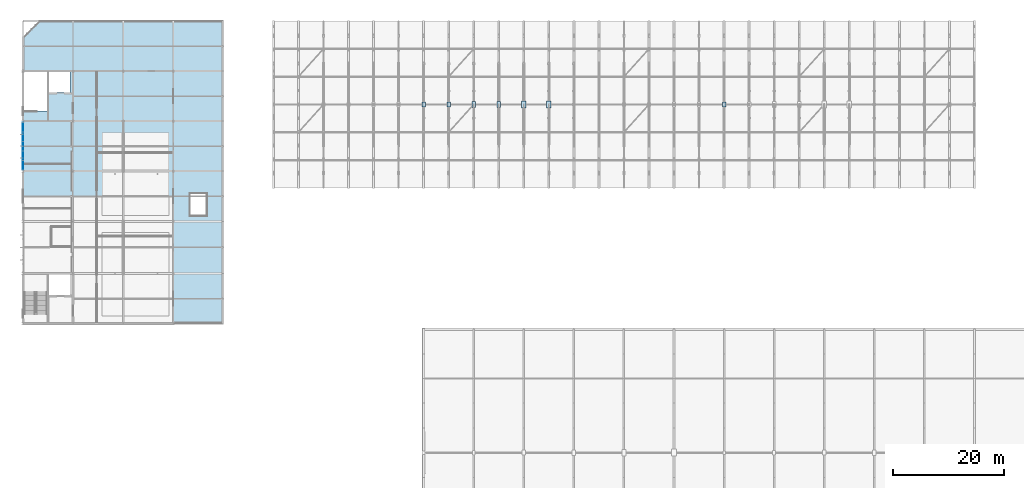
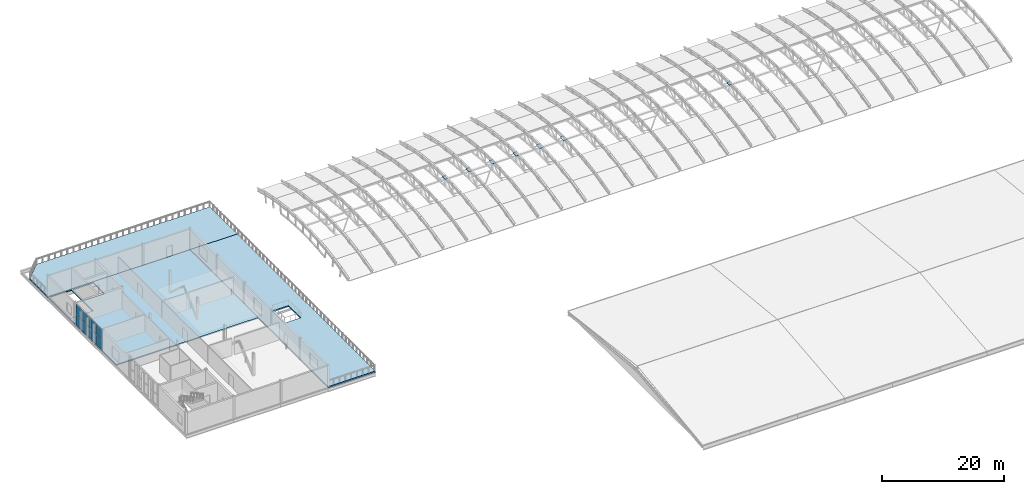
# One storey, part 32 of 53: 17 plates, 3 slabs, 1 element without a shape of its own.
"""IFC4 building model written with IfcOpenShell, lengths in metres."""

import ifcopenshell
import ifcopenshell.guid

model = None  # the IFC model being written
_history = None  # IfcOwnerHistory: only IFC2X3 demands one
_inside = {}  # id of a spatial element -> (the spatial element, [elements in it])
_under = {}  # id of a project, library or spatial element -> (it, [spatial elements below it])
_declared = {}  # id of a project -> (the project, [libraries it declares])
_typed = {}  # id of a type object -> (the type object, [elements of that type])
_made_of = {}  # id of a material, layer set ... -> (it, [elements and type objects made of it])


def new_model(schema):
    """Start an empty IFC model of exactly this schema.

    Asked for "IFC4X3", IfcOpenShell would pick the latest addendum, in which some entities
    have other attributes; the version numbers below select the first issue.
    IFC2X3 requires an IfcOwnerHistory on every rooted entity: one is made here for all.
    """
    global model, _history
    if schema == "IFC4X3":
        model = ifcopenshell.file(schema_version=(4, 3, 0, 0))
    else:
        model = ifcopenshell.file(schema=schema)
    _inside.clear()
    _under.clear()
    _declared.clear()
    _typed.clear()
    _made_of.clear()
    _history = None
    if model.schema == "IFC2X3":
        org = make("IfcOrganization", Name="unknown")
        user = make(
            "IfcPersonAndOrganization",
            ThePerson=make("IfcPerson", FamilyName="unknown"),
            TheOrganization=org,
        )
        app = make(
            "IfcApplication",
            ApplicationDeveloper=org,
            Version="unknown",
            ApplicationFullName="unknown",
            ApplicationIdentifier="unknown",
        )
        _history = make(
            "IfcOwnerHistory",
            OwningUser=user,
            OwningApplication=app,
            ChangeAction="ADDED",
            CreationDate=0,
        )
    return model


def make(cls, **values):
    """One entity of the class cls with the attributes given. An attribute that is None is left unset."""
    return model.create_entity(
        cls, **{name: value for name, value in values.items() if value is not None}
    )


def rooted(cls, **values):
    """An entity with a GlobalId (a new one), such as an element, a storey or a relation."""
    return make(cls, GlobalId=ifcopenshell.guid.new(), OwnerHistory=_history, **values)


def si_unit(unit_type, name, prefix=None):
    """IfcSIUnit, for example si_unit("LENGTHUNIT", "METRE", prefix="MILLI")."""
    return make("IfcSIUnit", UnitType=unit_type, Prefix=prefix, Name=name)


def assignment(units):
    """IfcUnitAssignment: the units of a project."""
    return None if units is None else make("IfcUnitAssignment", Units=units)


def point(xyz):
    """IfcCartesianPoint."""
    return None if xyz is None else make("IfcCartesianPoint", Coordinates=xyz)


def direction(xyz):
    """IfcDirection."""
    return None if xyz is None else make("IfcDirection", DirectionRatios=xyz)


def frame(location, z_axis=None, x_axis=None):
    """IfcAxis2Placement3D, a coordinate frame: its origin and axes. An axis left out is left unset."""
    return make(
        "IfcAxis2Placement3D",
        Location=point(location),
        Axis=direction(z_axis),
        RefDirection=direction(x_axis),
    )


def frame_2d(location, x_axis=None):
    """IfcAxis2Placement2D, a coordinate frame in the plane: its origin and x axis."""
    return make(
        "IfcAxis2Placement2D", Location=point(location), RefDirection=direction(x_axis)
    )


def origin():
    """The frame at (0, 0, 0) with its axes left unset."""
    return frame((0.0, 0.0, 0.0))


def origin_2d():
    """The frame at (0, 0) in the plane with its x axis left unset."""
    return frame_2d((0.0, 0.0))


def place(relative_to, where):
    """IfcLocalPlacement: puts the frame where relative to a parent placement (None: the world)."""
    return make(
        "IfcLocalPlacement", PlacementRelTo=relative_to, RelativePlacement=where
    )


def context(
    kind, dimensions, precision=None, world=None, true_north=None, identifier=None
):
    """IfcGeometricRepresentationContext, for example the 3D "Model" context."""
    return make(
        "IfcGeometricRepresentationContext",
        ContextIdentifier=identifier,
        ContextType=kind,
        CoordinateSpaceDimension=dimensions,
        Precision=precision,
        WorldCoordinateSystem=world,
        TrueNorth=true_north,
    )


def subcontext(parent, identifier, kind, view, scale=None):
    """IfcGeometricRepresentationSubContext, for example "Body" below "Model"."""
    return make(
        "IfcGeometricRepresentationSubContext",
        ContextIdentifier=identifier,
        ContextType=kind,
        ParentContext=parent,
        TargetScale=scale,
        TargetView=view,
    )


def project(units=None, contexts=None):
    """IfcProject with its units and contexts."""
    return rooted(
        "IfcProject",
        Name="project",
        RepresentationContexts=contexts,
        UnitsInContext=assignment(units),
    )


def spatial(cls, under=None, at=None, **own):
    """A site, building, storey or space (cls), placed at a placement, below another one or the project."""
    s = rooted(cls, ObjectPlacement=at, **own)
    if under is not None:
        _under.setdefault(under.id(), (under, []))[1].append(s)
    return s


def polyline(points):
    """IfcPolyline through the points."""
    return make("IfcPolyline", Points=[point(p) for p in points])


def profile(cls, at=None, kind="AREA", **sizes):
    """A parametric profile (cls). Its sizes go by their IFC names, for example OverallWidth=200.0."""
    return make(cls, ProfileType=kind, Position=at, **sizes)


def rectangle(**sizes):
    """IfcRectangleProfileDef."""
    return profile("IfcRectangleProfileDef", **sizes)


def outline(outer, holes=None, kind="AREA"):
    """IfcArbitraryClosedProfileDef: a profile drawn as a closed curve; with holes, ...WithVoids."""
    if holes is None:
        return make("IfcArbitraryClosedProfileDef", ProfileType=kind, OuterCurve=outer)
    return make(
        "IfcArbitraryProfileDefWithVoids",
        ProfileType=kind,
        OuterCurve=outer,
        InnerCurves=holes,
    )


def extrude(swept, where, along, depth):
    """IfcExtrudedAreaSolid: the profile swept, set in the frame where, extruded along a direction by depth."""
    return make(
        "IfcExtrudedAreaSolid",
        SweptArea=swept,
        Position=where,
        ExtrudedDirection=direction(along),
        Depth=depth,
    )


def shape(context_of_items, identifier, shape_type, items):
    """IfcShapeRepresentation: the items that make up one representation, for example the "Body"."""
    return make(
        "IfcShapeRepresentation",
        ContextOfItems=context_of_items,
        RepresentationIdentifier=identifier,
        RepresentationType=shape_type,
        Items=items,
    )


def material(Name=None, Category=None):
    """IfcMaterial."""
    return make("IfcMaterial", Name=Name, Category=Category)


def layer(
    of_material, thickness, ventilated=None, Name=None, Category=None, Priority=None
):
    """IfcMaterialLayer: one layer of a wall or slab, of a material (None: an air gap)."""
    return make(
        "IfcMaterialLayer",
        Material=of_material,
        LayerThickness=thickness,
        IsVentilated=ventilated,
        Name=Name,
        Category=Category,
        Priority=Priority,
    )


def layer_set(layers, Name=None):
    """IfcMaterialLayerSet."""
    return make("IfcMaterialLayerSet", MaterialLayers=layers, LayerSetName=Name)


def made_of(thing, what):
    """Note that an element or type object is made of a material, layer set ...; save() writes the relation."""
    if what is not None:
        _made_of.setdefault(what.id(), (what, []))[1].append(thing)
    return thing


def type_object(cls, material=None, **own):
    """A type object (cls), such as IfcWallType, which elements share."""
    return made_of(rooted(cls, **own), material)


def element(
    cls,
    number,
    at=None,
    inside=None,
    cuts=None,
    type_object=None,
    material=None,
    context=None,
    identifier="Body",
    shape_type=None,
    held_by="IfcProductDefinitionShape",
    body=None,
    shapes=None,
    **own,
):
    """One element of the class cls, such as IfcWall. Its Tag is "e" and its number.

    at: its placement. inside: the storey or other place that contains it. cuts: it is an
    opening in that element (IfcRelVoidsElement). A single representation is given by context,
    identifier, shape_type and body (its items); several are given by shapes. held_by: the class
    of the entity that holds the representations. save() writes the other relations.
    """
    e = rooted(cls, Tag="e%d" % number, ObjectPlacement=at, **own)
    if body is not None:
        shapes = [shape(context, identifier, shape_type, body)]
    if shapes is not None:
        e.Representation = make(held_by, Representations=shapes)
    if inside is not None:
        _inside.setdefault(inside.id(), (inside, []))[1].append(e)
    if cuts is not None:
        rooted(
            "IfcRelVoidsElement", RelatingBuildingElement=cuts, RelatedOpeningElement=e
        )
    if type_object is not None:
        _typed.setdefault(type_object.id(), (type_object, []))[1].append(e)
    return made_of(e, material)


def aggregate(whole, parts):
    """IfcRelAggregates: a whole, such as a stair, and the parts it consists of."""
    return rooted("IfcRelAggregates", RelatingObject=whole, RelatedObjects=parts)


def save(model, path):
    """Write the relations noted so far, then the file.

    IfcRelAggregates (storeys below a building ...), IfcRelContainedInSpatialStructure (elements
    in a storey), IfcRelDefinesByType, IfcRelAssociatesMaterial and IfcRelDeclares: one each for
    every whole, place, type object, material and project.
    """
    for whole, parts in _under.values():
        aggregate(whole, parts)
    for where, things in _inside.values():
        rooted(
            "IfcRelContainedInSpatialStructure",
            RelatedElements=things,
            RelatingStructure=where,
        )
    for kind, things in _typed.values():
        rooted("IfcRelDefinesByType", RelatedObjects=things, RelatingType=kind)
    for what, things in _made_of.values():
        rooted("IfcRelAssociatesMaterial", RelatedObjects=things, RelatingMaterial=what)
    for by, libraries in _declared.values():
        rooted("IfcRelDeclares", RelatingContext=by, RelatedDefinitions=libraries)
    model.write(path)


model = new_model("IFC4")

# Units and contexts
model_context = context("Model", 3, precision=1e-05, world=origin(), true_north=direction((0.0, 1.0)))
body_context = subcontext(model_context, "Body", "Model", "MODEL_VIEW")
ifc_project = project(units=[si_unit("LENGTHUNIT", "METRE"), si_unit("AREAUNIT", "SQUARE_METRE"), si_unit("VOLUMEUNIT", "CUBIC_METRE"), si_unit("PLANEANGLEUNIT", "RADIAN"), si_unit("MASSUNIT", "GRAM", prefix="KILO")], contexts=[model_context])

# Site, building, storey
site_placement = place(None, origin())
site = spatial("IfcSite", under=ifc_project, at=site_placement, CompositionType="ELEMENT")
building_placement = place(site_placement, origin())
building = spatial("IfcBuilding", under=site, at=building_placement, Name="Cazmaro Siding Exhibition Halls", CompositionType="ELEMENT")
storey_placement = place(building_placement, frame((0.0, 0.0, 21.0)))
storey = spatial("IfcBuildingStorey", under=building, at=storey_placement, Name="L04", CompositionType="ELEMENT", Elevation=21.0)

# Curtain wall, plates
ifc_material_1 = material(Name="Anodized Bronze Aluminum and Solar-Control Low-E Glazing", Category="aluminium")
ifc_layer_1 = layer(ifc_material_1, 0.199951171875)
ifc_layer_set_1 = layer_set([ifc_layer_1], Name="Anodized Bronze Aluminum and Solar-Control Low-E Glazing")
curtain_wall_type = type_object("IfcCurtainWallType", Name="CWS-02", PredefinedType="USERDEFINED", material=ifc_layer_set_1)
curtain_wall_placement = place(storey_placement, origin())
curtain_wall = element("IfcCurtainWall", 1, at=curtain_wall_placement, inside=storey, type_object=curtain_wall_type, Name="Glazed Curtain Wall CWS-02 CW-257", ObjectType="GLAZED CURTAIN WALL", PredefinedType="USERDEFINED")
ifc_material_2 = material(Name="Solar-Control Low-E Double Insulating Glass", Category="glass")
ifc_layer_2 = layer(ifc_material_2, 0.035888671875)
ifc_layer_set_2 = layer_set([ifc_layer_2], Name="Solar-Control Low-E Double Insulating Glass")
plate_type_1 = type_object("IfcPlateType", Name="CWP-02", PredefinedType="CURTAIN_PANEL", material=ifc_layer_set_2)
plate_1_placement = place(storey_placement, frame((0.0, 89.89892578125, 0.06494140625), z_axis=(0.0, 0.0, 1.0), x_axis=(0.0, -1.0, 0.0)))
plate_1 = element("IfcPlate", 2, at=plate_1_placement, type_object=plate_type_1, Name="CWS-02 panel 1.1", PredefinedType="CURTAIN_PANEL", context=body_context, shape_type="SweptSolid", body=[
    extrude(rectangle(XDim=1.610107421875, YDim=0.035888671875, at=origin_2d()), origin(), (0.0, 0.0, 1.0), 2.047607421875),
])
plate_2_placement = place(storey_placement, frame((0.0, 89.89892578125, 2.17724609375), z_axis=(0.0, 0.0, 1.0), x_axis=(0.0, -1.0, 0.0)))
plate_2 = element("IfcPlate", 3, at=plate_2_placement, type_object=plate_type_1, Name="CWS-02 panel 1.2", PredefinedType="CURTAIN_PANEL", context=body_context, shape_type="SweptSolid", body=[
    extrude(rectangle(XDim=1.610107421875, YDim=0.035888671875, at=origin_2d()), origin(), (0.0, 0.0, 1.0), 2.047607421875),
])
plate_3_placement = place(storey_placement, frame((0.0, 88.20751953125, 0.06494140625), z_axis=(0.0, 0.0, 1.0), x_axis=(0.0, -1.0, 0.0)))
plate_3 = element("IfcPlate", 4, at=plate_3_placement, type_object=plate_type_1, Name="CWS-02 panel 2.1", PredefinedType="CURTAIN_PANEL", context=body_context, shape_type="SweptSolid", body=[
    extrude(rectangle(XDim=1.642578125, YDim=0.035888671875, at=origin_2d()), origin(), (0.0, 0.0, 1.0), 2.047607421875),
])
plate_4_placement = place(storey_placement, frame((0.0, 88.20751953125, 2.17724609375), z_axis=(0.0, 0.0, 1.0), x_axis=(0.0, -1.0, 0.0)))
plate_4 = element("IfcPlate", 5, at=plate_4_placement, type_object=plate_type_1, Name="CWS-02 panel 2.2", PredefinedType="CURTAIN_PANEL", context=body_context, shape_type="SweptSolid", body=[
    extrude(rectangle(XDim=1.642578125, YDim=0.035888671875, at=origin_2d()), origin(), (0.0, 0.0, 1.0), 2.047607421875),
])
plate_5_placement = place(storey_placement, frame((0.0, 86.5, 0.06494140625), z_axis=(0.0, 0.0, 1.0), x_axis=(0.0, -1.0, 0.0)))
plate_5 = element("IfcPlate", 6, at=plate_5_placement, type_object=plate_type_1, Name="CWS-02 panel 3.1", PredefinedType="CURTAIN_PANEL", context=body_context, shape_type="SweptSolid", body=[
    extrude(rectangle(XDim=1.642578125, YDim=0.035888671875, at=origin_2d()), origin(), (0.0, 0.0, 1.0), 2.047607421875),
])
plate_6_placement = place(storey_placement, frame((0.0, 86.5, 2.17724609375), z_axis=(0.0, 0.0, 1.0), x_axis=(0.0, -1.0, 0.0)))
plate_6 = element("IfcPlate", 7, at=plate_6_placement, type_object=plate_type_1, Name="CWS-02 panel 3.2", PredefinedType="CURTAIN_PANEL", context=body_context, shape_type="SweptSolid", body=[
    extrude(rectangle(XDim=1.642578125, YDim=0.035888671875, at=origin_2d()), origin(), (0.0, 0.0, 1.0), 2.047607421875),
])
plate_7_placement = place(storey_placement, frame((0.0, 84.79248046875, 0.06494140625), z_axis=(0.0, 0.0, 1.0), x_axis=(0.0, -1.0, 0.0)))
plate_7 = element("IfcPlate", 8, at=plate_7_placement, type_object=plate_type_1, Name="CWS-02 panel 4.1", PredefinedType="CURTAIN_PANEL", context=body_context, shape_type="SweptSolid", body=[
    extrude(rectangle(XDim=1.642578125, YDim=0.035888671875, at=origin_2d()), origin(), (0.0, 0.0, 1.0), 2.047607421875),
])
plate_8_placement = place(storey_placement, frame((0.0, 84.79248046875, 2.17724609375), z_axis=(0.0, 0.0, 1.0), x_axis=(0.0, -1.0, 0.0)))
plate_8 = element("IfcPlate", 9, at=plate_8_placement, type_object=plate_type_1, Name="CWS-02 panel 4.2", PredefinedType="CURTAIN_PANEL", context=body_context, shape_type="SweptSolid", body=[
    extrude(rectangle(XDim=1.642578125, YDim=0.035888671875, at=origin_2d()), origin(), (0.0, 0.0, 1.0), 2.047607421875),
])
plate_9_placement = place(storey_placement, frame((0.0, 83.10107421875, 0.06494140625), z_axis=(0.0, 0.0, 1.0), x_axis=(0.0, -1.0, 0.0)))
plate_9 = element("IfcPlate", 10, at=plate_9_placement, type_object=plate_type_1, Name="CWS-02 panel 5.1", PredefinedType="CURTAIN_PANEL", context=body_context, shape_type="SweptSolid", body=[
    extrude(rectangle(XDim=1.610107421875, YDim=0.035888671875, at=origin_2d()), origin(), (0.0, 0.0, 1.0), 2.047607421875),
])
plate_10_placement = place(storey_placement, frame((0.0, 83.10107421875, 2.17724609375), z_axis=(0.0, 0.0, 1.0), x_axis=(0.0, -1.0, 0.0)))
plate_10 = element("IfcPlate", 11, at=plate_10_placement, type_object=plate_type_1, Name="CWS-02 panel 5.2", PredefinedType="CURTAIN_PANEL", context=body_context, shape_type="SweptSolid", body=[
    extrude(rectangle(XDim=1.610107421875, YDim=0.035888671875, at=origin_2d()), origin(), (0.0, 0.0, 1.0), 2.047607421875),
])
aggregate(curtain_wall, [plate_1, plate_2, plate_3, plate_4, plate_5, plate_6, plate_7, plate_8, plate_9, plate_10])

# Slab
ifc_material_3 = material(Name="Concrete f'c 35 MPa", Category="concrete")
ifc_layer_3 = layer(ifc_material_3, 0.219970703125)
ifc_layer_set_3 = layer_set([ifc_layer_3], Name="Concrete f'c 35 MPa")
slab_type_1 = type_object("IfcSlabType", Name="FS-01", PredefinedType="FLOOR", material=ifc_layer_set_3)
slab_1_placement = place(storey_placement, frame((0.0, 0.0, -0.219970703125)))
element("IfcSlab", 12, at=slab_1_placement, inside=storey, type_object=slab_type_1, Name="West Wing North L04 FS-01 SLB-0043", PredefinedType="FLOOR", context=body_context, shape_type="SweptSolid", body=[
    extrude(outline(polyline([(0.0, 77.5), (27.0, 77.5), (27.0, 100.0), (0.0, 100.0), (0.0, 77.5)]), holes=[polyline([(0.179931640625, 92.780029296875), (4.375, 92.780029296875), (4.375, 99.820068359375), (0.179931640625, 99.820068359375), (0.179931640625, 92.780029296875)]), polyline([(4.625, 96.1201171875), (8.47998046875, 96.1201171875), (8.47998046875, 99.820068359375), (4.625, 99.820068359375), (4.625, 96.1201171875)])]), origin(), (0.0, 0.0, 1.0), 0.219970703125),
])

# Plates
ifc_material_4 = material(Name="Steel ASTM A572 Grade 50", Category="steel")
ifc_layer_4 = layer(ifc_material_4, 0.0400390625)
ifc_layer_set_4 = layer_set([ifc_layer_4], Name="Steel ASTM A572 Grade 50")
plate_type_2 = type_object("IfcPlateType", Name="GP-04", PredefinedType="USERDEFINED", material=ifc_layer_set_4)
for number, where, z_axis, x_axis, name in (
    (13, (72.0, 94.0, 2.330078125), (0.0, 0.0, 1.0), (0.0, 1.0, 0.0), "Space frame vault crown gusset plate GP-04 node TN-02"),
    (14, (76.5, 94.0, 2.330078125), (0.0, 0.0, 1.0), (0.0, 1.0, 0.0), "Space frame vault crown gusset plate GP-04 node TN-02"),
    (15, (126.0, 94.0, 2.330078125), (0.0, 0.0, 1.0), (0.0, 1.0, 0.0), "Space frame vault crown gusset plate GP-04 node TN-02"),
):
    element("IfcPlate", number, at=place(storey_placement, frame(where, z_axis=z_axis, x_axis=x_axis)), inside=storey, type_object=plate_type_2, Name=name, ObjectType="GUSSET PLATE", PredefinedType="USERDEFINED", context=body_context, shape_type="SweptSolid", body=[
        extrude(rectangle(XDim=0.9599609375, YDim=0.60009765625, at=origin_2d()), origin(), (0.0, 0.0, 1.0), 0.0400390625),
    ])
ifc_material_5 = material(Name="Steel ASTM A572 Grade 50", Category="steel")
ifc_layer_5 = layer(ifc_material_5, 0.050048828125)
ifc_layer_set_5 = layer_set([ifc_layer_5], Name="Steel ASTM A572 Grade 50")
plate_type_3 = type_object("IfcPlateType", Name="GP-05", PredefinedType="USERDEFINED", material=ifc_layer_set_5)
for number, where, z_axis, x_axis, name in (
    (16, (81.0, 94.0, 2.3251953125), (0.0, 0.0, 1.0), (0.0, 1.0, 0.0), "Space frame vault crown gusset plate GP-05 node TN-02"),
    (17, (85.5, 94.0, 2.3251953125), (0.0, 0.0, 1.0), (0.0, 1.0, 0.0), "Space frame vault crown gusset plate GP-05 node TN-02"),
):
    element("IfcPlate", number, at=place(storey_placement, frame(where, z_axis=z_axis, x_axis=x_axis)), inside=storey, type_object=plate_type_3, Name=name, ObjectType="GUSSET PLATE", PredefinedType="USERDEFINED", context=body_context, shape_type="SweptSolid", body=[
        extrude(rectangle(XDim=1.080078125, YDim=0.679931640625, at=origin_2d()), origin(), (0.0, 0.0, 1.0), 0.050048828125),
    ])
ifc_material_6 = material(Name="Steel ASTM A572 Grade 50", Category="steel")
ifc_layer_6 = layer(ifc_material_6, 0.06005859375)
ifc_layer_set_6 = layer_set([ifc_layer_6], Name="Steel ASTM A572 Grade 50")
plate_type_4 = type_object("IfcPlateType", Name="GP-06", PredefinedType="USERDEFINED", material=ifc_layer_set_6)
for number, where, z_axis, x_axis, name in (
    (18, (90.0, 94.0, 2.320068359375), (0.0, 0.0, 1.0), (0.0, 1.0, 0.0), "Space frame vault crown gusset plate GP-06 node TN-02"),
    (19, (94.5, 94.0, 2.320068359375), (0.0, 0.0, 1.0), (0.0, 1.0, 0.0), "Space frame vault crown gusset plate GP-06 node TN-02"),
):
    element("IfcPlate", number, at=place(storey_placement, frame(where, z_axis=z_axis, x_axis=x_axis)), inside=storey, type_object=plate_type_4, Name=name, ObjectType="GUSSET PLATE", PredefinedType="USERDEFINED", context=body_context, shape_type="SweptSolid", body=[
        extrude(rectangle(XDim=1.199951171875, YDim=0.75, at=origin_2d()), origin(), (0.0, 0.0, 1.0), 0.06005859375),
    ])

# Slabs
ifc_material_7 = material(Name="Concrete f'c 35 MPa", Category="concrete")
ifc_layer_7 = layer(ifc_material_7, 0.27001953125)
ifc_layer_set_7 = layer_set([ifc_layer_7], Name="Concrete f'c 35 MPa")
slab_type_2 = type_object("IfcSlabType", Name="TS-01", PredefinedType="FLOOR", material=ifc_layer_set_7)
slab_2_placement = place(storey_placement, frame((0.0, 0.0, -0.27001953125)))
element("IfcSlab", 20, at=slab_2_placement, inside=storey, type_object=slab_type_2, Name="East Landscaped Roof Terrace L04 TS-01 SLB-0044", PredefinedType="FLOOR", context=body_context, shape_type="SweptSolid", body=[
    extrude(outline(polyline([(27.0, 54.60009765625), (36.0, 54.60009765625), (36.0, 100.0), (27.0, 100.0), (27.0, 54.60009765625)]), holes=[polyline([(30.0, 74.0), (33.0, 74.0), (33.0, 78.0), (30.0, 78.0), (30.0, 74.0)])]), origin(), (0.0, 0.0, 1.0), 0.27001953125),
])
slab_3_placement = place(storey_placement, frame((0.0, 0.0, -0.27001953125)))
element("IfcSlab", 21, at=slab_3_placement, inside=storey, type_object=slab_type_2, Name="North Landscaped Roof Terrace L04 TS-01 SLB-0045", PredefinedType="FLOOR", context=body_context, shape_type="SweptSolid", body=[
    extrude(outline(polyline([(0.0, 100.0), (36.0, 100.0), (36.0, 109.0), (3.0, 109.0), (0.0, 106.0), (0.0, 100.0)])), origin(), (0.0, 0.0, 1.0), 0.27001953125),
])

save(model, "model.ifc")
